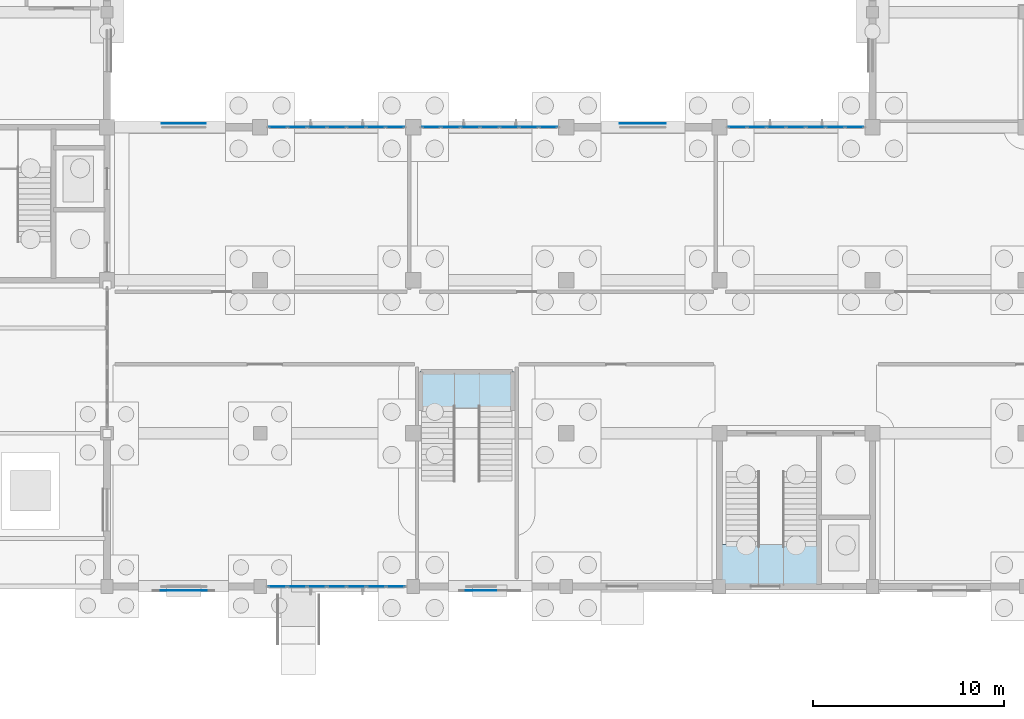
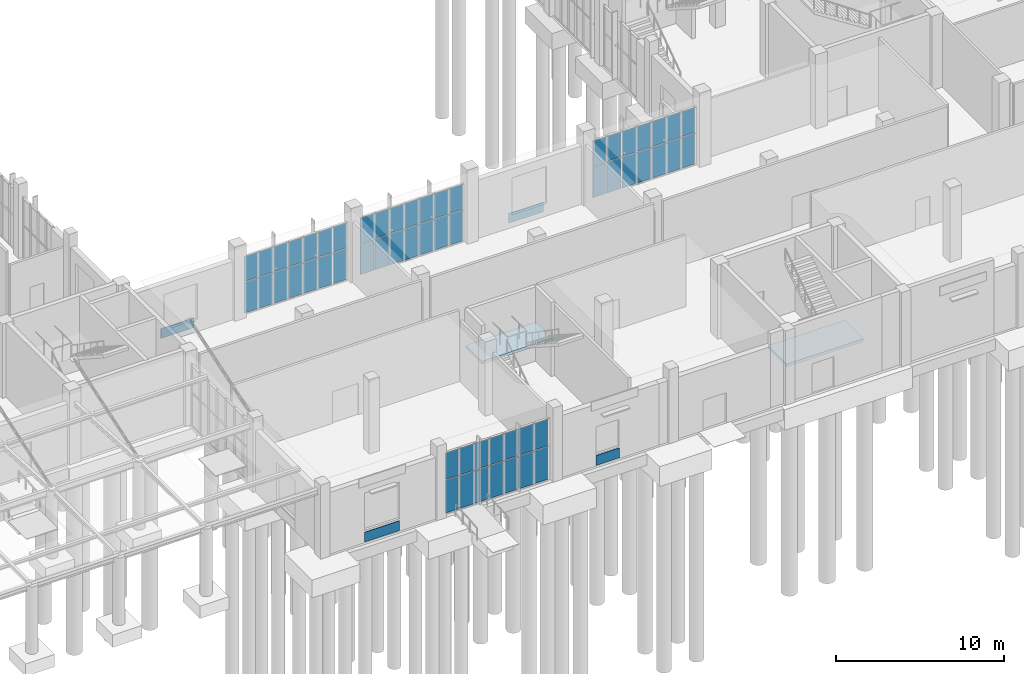
# One storey, part 32 of 69: 60 plates, 2 slabs, 6 elements without a shape of their own.
"""IFC4 building model written with IfcOpenShell, lengths in metres."""

from ifc_helpers import new_model, si_unit, direction, frame, origin, origin_2d, place, context, subcontext, project, spatial, polyline, rectangle, outline, extrude, material, layer, layer_set, type_object, element, aggregate, save


model = new_model("IFC4")

# Units and contexts
model_context = context("Model", 3, precision=1e-05, world=origin(), true_north=direction((0.0, 1.0)))
body_context = subcontext(model_context, "Body", "Model", "MODEL_VIEW")
ifc_project = project(units=[si_unit("LENGTHUNIT", "METRE"), si_unit("AREAUNIT", "SQUARE_METRE"), si_unit("VOLUMEUNIT", "CUBIC_METRE"), si_unit("PLANEANGLEUNIT", "RADIAN"), si_unit("MASSUNIT", "GRAM", prefix="KILO")], contexts=[model_context])

# Site, building, storey
site_placement = place(None, origin())
site = spatial("IfcSite", under=ifc_project, at=site_placement, CompositionType="ELEMENT")
building_placement = place(site_placement, origin())
building = spatial("IfcBuilding", under=site, at=building_placement, Name="Solvane Community Centre", CompositionType="ELEMENT")
storey_placement = place(building_placement, origin())
storey = spatial("IfcBuildingStorey", under=building, at=storey_placement, Name="L00", CompositionType="ELEMENT", Elevation=0.0)

# Plates
ifc_material_1 = material(Name="Anodised bronze aluminium AW-6063 T6", Category="aluminium")
ifc_layer_1 = layer(ifc_material_1, 0.02392578125)
ifc_layer_set_1 = layer_set([ifc_layer_1], Name="Anodised bronze aluminium AW-6063 T6")
plate_type_1 = type_object("IfcPlateType", Name="Bronze Spandrel Cassette 24mm", PredefinedType="SHEET", material=ifc_layer_set_1)
plate_1_placement = place(storey_placement, frame((87.538330078125, 5.798095703125, 0.06005859375), z_axis=(0.0, 0.0, 1.0), x_axis=(-1.0, 0.0, 0.0)))
element("IfcPlate", 1, at=plate_1_placement, inside=storey, type_object=plate_type_1, Name="Art Deco Spandrel SPC-L00-001", PredefinedType="SHEET", context=body_context, shape_type="SweptSolid", body=[
    extrude(rectangle(XDim=1.60009765625, YDim=0.02392578125, at=origin_2d()), origin(), (0.0, 0.0, 1.0), 0.719970703125),
])
plate_2_placement = place(storey_placement, frame((72.0, 5.798095703125, 0.06005859375), z_axis=(0.0, 0.0, 1.0), x_axis=(-1.0, 0.0, 0.0)))
element("IfcPlate", 2, at=plate_2_placement, inside=storey, type_object=plate_type_1, Name="Art Deco Spandrel SPC-L00-002", PredefinedType="SHEET", context=body_context, shape_type="SweptSolid", body=[
    extrude(rectangle(XDim=2.39990234375, YDim=0.02392578125, at=origin_2d()), origin(), (0.0, 0.0, 1.0), 0.719970703125),
])
plate_3_placement = place(storey_placement, frame((72.0, 30.201904296875, 0.06005859375), z_axis=(0.0, 0.0, 1.0), x_axis=(1.0, 0.0, 0.0)))
element("IfcPlate", 3, at=plate_3_placement, inside=storey, type_object=plate_type_1, Name="Art Deco Spandrel SPC-L00-016", PredefinedType="SHEET", context=body_context, shape_type="SweptSolid", body=[
    extrude(rectangle(XDim=2.300048828125, YDim=0.02392578125, at=origin_2d()), origin(), (0.0, 0.0, 1.0), 0.719970703125),
])
plate_4_placement = place(storey_placement, frame((96.0, 30.201904296875, 0.06005859375), z_axis=(0.0, 0.0, 1.0), x_axis=(1.0, 0.0, 0.0)))
element("IfcPlate", 4, at=plate_4_placement, inside=storey, type_object=plate_type_1, Name="Art Deco Spandrel SPC-L00-017", PredefinedType="SHEET", context=body_context, shape_type="SweptSolid", body=[
    extrude(rectangle(XDim=2.39990234375, YDim=0.02392578125, at=origin_2d()), origin(), (0.0, 0.0, 1.0), 0.719970703125),
])

# Curtain wall, plates
ifc_layer_2 = layer(ifc_material_1, 0.18994140625)
ifc_layer_set_2 = layer_set([ifc_layer_2], Name="Anodised bronze aluminium AW-6063 T6")
curtain_wall_type_1 = type_object("IfcCurtainWallType", Name="Boulevard Bronze Vision Curtain Wall [72x42dm]", PredefinedType="NOTDEFINED", material=ifc_layer_set_2)
curtain_wall_1_placement = place(storey_placement, origin())
curtain_wall_1 = element("IfcCurtainWall", 5, at=curtain_wall_1_placement, inside=storey, type_object=curtain_wall_type_1, Name="Curtain Wall CW-L00-764_300-023", PredefinedType="NOTDEFINED")
ifc_material_2 = material(Name="Tempered low-E double glazing", Category="glass")
ifc_layer_3 = layer(ifc_material_2, 0.028076171875)
ifc_layer_set_3 = layer_set([ifc_layer_3], Name="Tempered low-E double glazing")
plate_type_2 = type_object("IfcPlateType", Name="Low-E Vision Glazing Panel 28mm [72x42dm]", PredefinedType="CURTAIN_PANEL", material=ifc_layer_set_3)
plate_5_placement = place(storey_placement, frame((76.942138671875, 30.0, 0.06005859375), z_axis=(0.0, 0.0, 1.0), x_axis=(1.0, 0.0, 0.0)))
plate_5 = element("IfcPlate", 6, at=plate_5_placement, type_object=plate_type_2, Name="CW02-72x42 panel 1.1", PredefinedType="CURTAIN_PANEL", context=body_context, shape_type="SweptSolid", body=[
    extrude(rectangle(XDim=0.934326171875, YDim=0.028076171875, at=origin_2d()), origin(), (0.0, 0.0, 1.0), 2.2451171875),
])
plate_6_placement = place(storey_placement, frame((76.942138671875, 30.0, 2.36474609375), z_axis=(0.0, 0.0, 1.0), x_axis=(1.0, 0.0, 0.0)))
plate_6 = element("IfcPlate", 7, at=plate_6_placement, type_object=plate_type_2, Name="CW02-72x42 panel 1.2", PredefinedType="CURTAIN_PANEL", context=body_context, shape_type="SweptSolid", body=[
    extrude(rectangle(XDim=0.934326171875, YDim=0.028076171875, at=origin_2d()), origin(), (0.0, 0.0, 1.0), 1.820068359375),
])
plate_7_placement = place(storey_placement, frame((77.951416015625, 30.0, 0.06005859375), z_axis=(0.0, 0.0, 1.0), x_axis=(1.0, 0.0, 0.0)))
plate_7 = element("IfcPlate", 8, at=plate_7_placement, type_object=plate_type_2, Name="CW02-72x42 panel 2.1", PredefinedType="CURTAIN_PANEL", context=body_context, shape_type="SweptSolid", body=[
    extrude(rectangle(XDim=0.96435546875, YDim=0.028076171875, at=origin_2d()), origin(), (0.0, 0.0, 1.0), 2.2451171875),
])
plate_8_placement = place(storey_placement, frame((77.951416015625, 30.0, 2.36474609375), z_axis=(0.0, 0.0, 1.0), x_axis=(1.0, 0.0, 0.0)))
plate_8 = element("IfcPlate", 9, at=plate_8_placement, type_object=plate_type_2, Name="CW02-72x42 panel 2.2", PredefinedType="CURTAIN_PANEL", context=body_context, shape_type="SweptSolid", body=[
    extrude(rectangle(XDim=0.96435546875, YDim=0.028076171875, at=origin_2d()), origin(), (0.0, 0.0, 1.0), 1.820068359375),
])
plate_9_placement = place(storey_placement, frame((78.975830078125, 30.0, 0.06005859375), z_axis=(0.0, 0.0, 1.0), x_axis=(1.0, 0.0, 0.0)))
plate_9 = element("IfcPlate", 10, at=plate_9_placement, type_object=plate_type_2, Name="CW02-72x42 panel 3.1", PredefinedType="CURTAIN_PANEL", context=body_context, shape_type="SweptSolid", body=[
    extrude(rectangle(XDim=0.96435546875, YDim=0.028076171875, at=origin_2d()), origin(), (0.0, 0.0, 1.0), 2.2451171875),
])
plate_10_placement = place(storey_placement, frame((78.975830078125, 30.0, 2.36474609375), z_axis=(0.0, 0.0, 1.0), x_axis=(1.0, 0.0, 0.0)))
plate_10 = element("IfcPlate", 11, at=plate_10_placement, type_object=plate_type_2, Name="CW02-72x42 panel 3.2", PredefinedType="CURTAIN_PANEL", context=body_context, shape_type="SweptSolid", body=[
    extrude(rectangle(XDim=0.96435546875, YDim=0.028076171875, at=origin_2d()), origin(), (0.0, 0.0, 1.0), 1.820068359375),
])
plate_11_placement = place(storey_placement, frame((80.0, 30.0, 0.06005859375), z_axis=(0.0, 0.0, 1.0), x_axis=(1.0, 0.0, 0.0)))
plate_11 = element("IfcPlate", 12, at=plate_11_placement, type_object=plate_type_2, Name="CW02-72x42 panel 4.1", PredefinedType="CURTAIN_PANEL", context=body_context, shape_type="SweptSolid", body=[
    extrude(rectangle(XDim=0.96435546875, YDim=0.028076171875, at=origin_2d()), origin(), (0.0, 0.0, 1.0), 2.2451171875),
])
plate_12_placement = place(storey_placement, frame((80.0, 30.0, 2.36474609375), z_axis=(0.0, 0.0, 1.0), x_axis=(1.0, 0.0, 0.0)))
plate_12 = element("IfcPlate", 13, at=plate_12_placement, type_object=plate_type_2, Name="CW02-72x42 panel 4.2", PredefinedType="CURTAIN_PANEL", context=body_context, shape_type="SweptSolid", body=[
    extrude(rectangle(XDim=0.96435546875, YDim=0.028076171875, at=origin_2d()), origin(), (0.0, 0.0, 1.0), 1.820068359375),
])
plate_13_placement = place(storey_placement, frame((81.024169921875, 30.0, 0.06005859375), z_axis=(0.0, 0.0, 1.0), x_axis=(1.0, 0.0, 0.0)))
plate_13 = element("IfcPlate", 14, at=plate_13_placement, type_object=plate_type_2, Name="CW02-72x42 panel 5.1", PredefinedType="CURTAIN_PANEL", context=body_context, shape_type="SweptSolid", body=[
    extrude(rectangle(XDim=0.96435546875, YDim=0.028076171875, at=origin_2d()), origin(), (0.0, 0.0, 1.0), 2.2451171875),
])
plate_14_placement = place(storey_placement, frame((81.024169921875, 30.0, 2.36474609375), z_axis=(0.0, 0.0, 1.0), x_axis=(1.0, 0.0, 0.0)))
plate_14 = element("IfcPlate", 15, at=plate_14_placement, type_object=plate_type_2, Name="CW02-72x42 panel 5.2", PredefinedType="CURTAIN_PANEL", context=body_context, shape_type="SweptSolid", body=[
    extrude(rectangle(XDim=0.96435546875, YDim=0.028076171875, at=origin_2d()), origin(), (0.0, 0.0, 1.0), 1.820068359375),
])
plate_15_placement = place(storey_placement, frame((82.048583984375, 30.0, 0.06005859375), z_axis=(0.0, 0.0, 1.0), x_axis=(1.0, 0.0, 0.0)))
plate_15 = element("IfcPlate", 16, at=plate_15_placement, type_object=plate_type_2, Name="CW02-72x42 panel 6.1", PredefinedType="CURTAIN_PANEL", context=body_context, shape_type="SweptSolid", body=[
    extrude(rectangle(XDim=0.96435546875, YDim=0.028076171875, at=origin_2d()), origin(), (0.0, 0.0, 1.0), 2.2451171875),
])
plate_16_placement = place(storey_placement, frame((82.048583984375, 30.0, 2.36474609375), z_axis=(0.0, 0.0, 1.0), x_axis=(1.0, 0.0, 0.0)))
plate_16 = element("IfcPlate", 17, at=plate_16_placement, type_object=plate_type_2, Name="CW02-72x42 panel 6.2", PredefinedType="CURTAIN_PANEL", context=body_context, shape_type="SweptSolid", body=[
    extrude(rectangle(XDim=0.96435546875, YDim=0.028076171875, at=origin_2d()), origin(), (0.0, 0.0, 1.0), 1.820068359375),
])
plate_17_placement = place(storey_placement, frame((83.057861328125, 30.0, 0.06005859375), z_axis=(0.0, 0.0, 1.0), x_axis=(1.0, 0.0, 0.0)))
plate_17 = element("IfcPlate", 18, at=plate_17_placement, type_object=plate_type_2, Name="CW02-72x42 panel 7.1", PredefinedType="CURTAIN_PANEL", context=body_context, shape_type="SweptSolid", body=[
    extrude(rectangle(XDim=0.934326171875, YDim=0.028076171875, at=origin_2d()), origin(), (0.0, 0.0, 1.0), 2.2451171875),
])
plate_18_placement = place(storey_placement, frame((83.057861328125, 30.0, 2.36474609375), z_axis=(0.0, 0.0, 1.0), x_axis=(1.0, 0.0, 0.0)))
plate_18 = element("IfcPlate", 19, at=plate_18_placement, type_object=plate_type_2, Name="CW02-72x42 panel 7.2", PredefinedType="CURTAIN_PANEL", context=body_context, shape_type="SweptSolid", body=[
    extrude(rectangle(XDim=0.934326171875, YDim=0.028076171875, at=origin_2d()), origin(), (0.0, 0.0, 1.0), 1.820068359375),
])
aggregate(curtain_wall_1, [plate_5, plate_6, plate_7, plate_8, plate_9, plate_10, plate_11, plate_12, plate_13, plate_14, plate_15, plate_16, plate_17, plate_18])

curtain_wall_2_placement = place(storey_placement, origin())
curtain_wall_2 = element("IfcCurtainWall", 20, at=curtain_wall_2_placement, inside=storey, type_object=curtain_wall_type_1, Name="Curtain Wall CW-L00-844_300-024", PredefinedType="NOTDEFINED")
plate_19_placement = place(storey_placement, frame((84.942138671875, 30.0, 0.06005859375), z_axis=(0.0, 0.0, 1.0), x_axis=(1.0, 0.0, 0.0)))
plate_19 = element("IfcPlate", 21, at=plate_19_placement, type_object=plate_type_2, Name="CW02-72x42 panel 1.1", PredefinedType="CURTAIN_PANEL", context=body_context, shape_type="SweptSolid", body=[
    extrude(rectangle(XDim=0.934326171875, YDim=0.028076171875, at=origin_2d()), origin(), (0.0, 0.0, 1.0), 2.2451171875),
])
plate_20_placement = place(storey_placement, frame((84.942138671875, 30.0, 2.36474609375), z_axis=(0.0, 0.0, 1.0), x_axis=(1.0, 0.0, 0.0)))
plate_20 = element("IfcPlate", 22, at=plate_20_placement, type_object=plate_type_2, Name="CW02-72x42 panel 1.2", PredefinedType="CURTAIN_PANEL", context=body_context, shape_type="SweptSolid", body=[
    extrude(rectangle(XDim=0.934326171875, YDim=0.028076171875, at=origin_2d()), origin(), (0.0, 0.0, 1.0), 1.820068359375),
])
plate_21_placement = place(storey_placement, frame((85.951416015625, 30.0, 0.06005859375), z_axis=(0.0, 0.0, 1.0), x_axis=(1.0, 0.0, 0.0)))
plate_21 = element("IfcPlate", 23, at=plate_21_placement, type_object=plate_type_2, Name="CW02-72x42 panel 2.1", PredefinedType="CURTAIN_PANEL", context=body_context, shape_type="SweptSolid", body=[
    extrude(rectangle(XDim=0.96435546875, YDim=0.028076171875, at=origin_2d()), origin(), (0.0, 0.0, 1.0), 2.2451171875),
])
plate_22_placement = place(storey_placement, frame((85.951416015625, 30.0, 2.36474609375), z_axis=(0.0, 0.0, 1.0), x_axis=(1.0, 0.0, 0.0)))
plate_22 = element("IfcPlate", 24, at=plate_22_placement, type_object=plate_type_2, Name="CW02-72x42 panel 2.2", PredefinedType="CURTAIN_PANEL", context=body_context, shape_type="SweptSolid", body=[
    extrude(rectangle(XDim=0.96435546875, YDim=0.028076171875, at=origin_2d()), origin(), (0.0, 0.0, 1.0), 1.820068359375),
])
plate_23_placement = place(storey_placement, frame((86.975830078125, 30.0, 0.06005859375), z_axis=(0.0, 0.0, 1.0), x_axis=(1.0, 0.0, 0.0)))
plate_23 = element("IfcPlate", 25, at=plate_23_placement, type_object=plate_type_2, Name="CW02-72x42 panel 3.1", PredefinedType="CURTAIN_PANEL", context=body_context, shape_type="SweptSolid", body=[
    extrude(rectangle(XDim=0.96435546875, YDim=0.028076171875, at=origin_2d()), origin(), (0.0, 0.0, 1.0), 2.2451171875),
])
plate_24_placement = place(storey_placement, frame((86.975830078125, 30.0, 2.36474609375), z_axis=(0.0, 0.0, 1.0), x_axis=(1.0, 0.0, 0.0)))
plate_24 = element("IfcPlate", 26, at=plate_24_placement, type_object=plate_type_2, Name="CW02-72x42 panel 3.2", PredefinedType="CURTAIN_PANEL", context=body_context, shape_type="SweptSolid", body=[
    extrude(rectangle(XDim=0.96435546875, YDim=0.028076171875, at=origin_2d()), origin(), (0.0, 0.0, 1.0), 1.820068359375),
])
plate_25_placement = place(storey_placement, frame((88.0, 30.0, 0.06005859375), z_axis=(0.0, 0.0, 1.0), x_axis=(1.0, 0.0, 0.0)))
plate_25 = element("IfcPlate", 27, at=plate_25_placement, type_object=plate_type_2, Name="CW02-72x42 panel 4.1", PredefinedType="CURTAIN_PANEL", context=body_context, shape_type="SweptSolid", body=[
    extrude(rectangle(XDim=0.96435546875, YDim=0.028076171875, at=origin_2d()), origin(), (0.0, 0.0, 1.0), 2.2451171875),
])
plate_26_placement = place(storey_placement, frame((88.0, 30.0, 2.36474609375), z_axis=(0.0, 0.0, 1.0), x_axis=(1.0, 0.0, 0.0)))
plate_26 = element("IfcPlate", 28, at=plate_26_placement, type_object=plate_type_2, Name="CW02-72x42 panel 4.2", PredefinedType="CURTAIN_PANEL", context=body_context, shape_type="SweptSolid", body=[
    extrude(rectangle(XDim=0.96435546875, YDim=0.028076171875, at=origin_2d()), origin(), (0.0, 0.0, 1.0), 1.820068359375),
])
plate_27_placement = place(storey_placement, frame((89.024169921875, 30.0, 0.06005859375), z_axis=(0.0, 0.0, 1.0), x_axis=(1.0, 0.0, 0.0)))
plate_27 = element("IfcPlate", 29, at=plate_27_placement, type_object=plate_type_2, Name="CW02-72x42 panel 5.1", PredefinedType="CURTAIN_PANEL", context=body_context, shape_type="SweptSolid", body=[
    extrude(rectangle(XDim=0.96435546875, YDim=0.028076171875, at=origin_2d()), origin(), (0.0, 0.0, 1.0), 2.2451171875),
])
plate_28_placement = place(storey_placement, frame((89.024169921875, 30.0, 2.36474609375), z_axis=(0.0, 0.0, 1.0), x_axis=(1.0, 0.0, 0.0)))
plate_28 = element("IfcPlate", 30, at=plate_28_placement, type_object=plate_type_2, Name="CW02-72x42 panel 5.2", PredefinedType="CURTAIN_PANEL", context=body_context, shape_type="SweptSolid", body=[
    extrude(rectangle(XDim=0.96435546875, YDim=0.028076171875, at=origin_2d()), origin(), (0.0, 0.0, 1.0), 1.820068359375),
])
plate_29_placement = place(storey_placement, frame((90.048583984375, 30.0, 0.06005859375), z_axis=(0.0, 0.0, 1.0), x_axis=(1.0, 0.0, 0.0)))
plate_29 = element("IfcPlate", 31, at=plate_29_placement, type_object=plate_type_2, Name="CW02-72x42 panel 6.1", PredefinedType="CURTAIN_PANEL", context=body_context, shape_type="SweptSolid", body=[
    extrude(rectangle(XDim=0.96435546875, YDim=0.028076171875, at=origin_2d()), origin(), (0.0, 0.0, 1.0), 2.2451171875),
])
plate_30_placement = place(storey_placement, frame((90.048583984375, 30.0, 2.36474609375), z_axis=(0.0, 0.0, 1.0), x_axis=(1.0, 0.0, 0.0)))
plate_30 = element("IfcPlate", 32, at=plate_30_placement, type_object=plate_type_2, Name="CW02-72x42 panel 6.2", PredefinedType="CURTAIN_PANEL", context=body_context, shape_type="SweptSolid", body=[
    extrude(rectangle(XDim=0.96435546875, YDim=0.028076171875, at=origin_2d()), origin(), (0.0, 0.0, 1.0), 1.820068359375),
])
plate_31_placement = place(storey_placement, frame((91.057861328125, 30.0, 0.06005859375), z_axis=(0.0, 0.0, 1.0), x_axis=(1.0, 0.0, 0.0)))
plate_31 = element("IfcPlate", 33, at=plate_31_placement, type_object=plate_type_2, Name="CW02-72x42 panel 7.1", PredefinedType="CURTAIN_PANEL", context=body_context, shape_type="SweptSolid", body=[
    extrude(rectangle(XDim=0.934326171875, YDim=0.028076171875, at=origin_2d()), origin(), (0.0, 0.0, 1.0), 2.2451171875),
])
plate_32_placement = place(storey_placement, frame((91.057861328125, 30.0, 2.36474609375), z_axis=(0.0, 0.0, 1.0), x_axis=(1.0, 0.0, 0.0)))
plate_32 = element("IfcPlate", 34, at=plate_32_placement, type_object=plate_type_2, Name="CW02-72x42 panel 7.2", PredefinedType="CURTAIN_PANEL", context=body_context, shape_type="SweptSolid", body=[
    extrude(rectangle(XDim=0.934326171875, YDim=0.028076171875, at=origin_2d()), origin(), (0.0, 0.0, 1.0), 1.820068359375),
])
aggregate(curtain_wall_2, [plate_19, plate_20, plate_21, plate_22, plate_23, plate_24, plate_25, plate_26, plate_27, plate_28, plate_29, plate_30, plate_31, plate_32])

curtain_wall_3_placement = place(storey_placement, origin())
curtain_wall_3 = element("IfcCurtainWall", 35, at=curtain_wall_3_placement, inside=storey, type_object=curtain_wall_type_1, Name="Curtain Wall CW-L00-1004_300-025", PredefinedType="NOTDEFINED")
plate_33_placement = place(storey_placement, frame((100.942138671875, 30.0, 0.06005859375), z_axis=(0.0, 0.0, 1.0), x_axis=(1.0, 0.0, 0.0)))
plate_33 = element("IfcPlate", 36, at=plate_33_placement, type_object=plate_type_2, Name="CW02-72x42 panel 1.1", PredefinedType="CURTAIN_PANEL", context=body_context, shape_type="SweptSolid", body=[
    extrude(rectangle(XDim=0.934326171875, YDim=0.028076171875, at=origin_2d()), origin(), (0.0, 0.0, 1.0), 2.2451171875),
])
plate_34_placement = place(storey_placement, frame((100.942138671875, 30.0, 2.36474609375), z_axis=(0.0, 0.0, 1.0), x_axis=(1.0, 0.0, 0.0)))
plate_34 = element("IfcPlate", 37, at=plate_34_placement, type_object=plate_type_2, Name="CW02-72x42 panel 1.2", PredefinedType="CURTAIN_PANEL", context=body_context, shape_type="SweptSolid", body=[
    extrude(rectangle(XDim=0.934326171875, YDim=0.028076171875, at=origin_2d()), origin(), (0.0, 0.0, 1.0), 1.820068359375),
])
plate_35_placement = place(storey_placement, frame((101.951416015625, 30.0, 0.06005859375), z_axis=(0.0, 0.0, 1.0), x_axis=(1.0, 0.0, 0.0)))
plate_35 = element("IfcPlate", 38, at=plate_35_placement, type_object=plate_type_2, Name="CW02-72x42 panel 2.1", PredefinedType="CURTAIN_PANEL", context=body_context, shape_type="SweptSolid", body=[
    extrude(rectangle(XDim=0.96435546875, YDim=0.028076171875, at=origin_2d()), origin(), (0.0, 0.0, 1.0), 2.2451171875),
])
plate_36_placement = place(storey_placement, frame((101.951416015625, 30.0, 2.36474609375), z_axis=(0.0, 0.0, 1.0), x_axis=(1.0, 0.0, 0.0)))
plate_36 = element("IfcPlate", 39, at=plate_36_placement, type_object=plate_type_2, Name="CW02-72x42 panel 2.2", PredefinedType="CURTAIN_PANEL", context=body_context, shape_type="SweptSolid", body=[
    extrude(rectangle(XDim=0.96435546875, YDim=0.028076171875, at=origin_2d()), origin(), (0.0, 0.0, 1.0), 1.820068359375),
])
plate_37_placement = place(storey_placement, frame((102.975830078125, 30.0, 0.06005859375), z_axis=(0.0, 0.0, 1.0), x_axis=(1.0, 0.0, 0.0)))
plate_37 = element("IfcPlate", 40, at=plate_37_placement, type_object=plate_type_2, Name="CW02-72x42 panel 3.1", PredefinedType="CURTAIN_PANEL", context=body_context, shape_type="SweptSolid", body=[
    extrude(rectangle(XDim=0.96435546875, YDim=0.028076171875, at=origin_2d()), origin(), (0.0, 0.0, 1.0), 2.2451171875),
])
plate_38_placement = place(storey_placement, frame((102.975830078125, 30.0, 2.36474609375), z_axis=(0.0, 0.0, 1.0), x_axis=(1.0, 0.0, 0.0)))
plate_38 = element("IfcPlate", 41, at=plate_38_placement, type_object=plate_type_2, Name="CW02-72x42 panel 3.2", PredefinedType="CURTAIN_PANEL", context=body_context, shape_type="SweptSolid", body=[
    extrude(rectangle(XDim=0.96435546875, YDim=0.028076171875, at=origin_2d()), origin(), (0.0, 0.0, 1.0), 1.820068359375),
])
plate_39_placement = place(storey_placement, frame((104.0, 30.0, 0.06005859375), z_axis=(0.0, 0.0, 1.0), x_axis=(1.0, 0.0, 0.0)))
plate_39 = element("IfcPlate", 42, at=plate_39_placement, type_object=plate_type_2, Name="CW02-72x42 panel 4.1", PredefinedType="CURTAIN_PANEL", context=body_context, shape_type="SweptSolid", body=[
    extrude(rectangle(XDim=0.96435546875, YDim=0.028076171875, at=origin_2d()), origin(), (0.0, 0.0, 1.0), 2.2451171875),
])
plate_40_placement = place(storey_placement, frame((104.0, 30.0, 2.36474609375), z_axis=(0.0, 0.0, 1.0), x_axis=(1.0, 0.0, 0.0)))
plate_40 = element("IfcPlate", 43, at=plate_40_placement, type_object=plate_type_2, Name="CW02-72x42 panel 4.2", PredefinedType="CURTAIN_PANEL", context=body_context, shape_type="SweptSolid", body=[
    extrude(rectangle(XDim=0.96435546875, YDim=0.028076171875, at=origin_2d()), origin(), (0.0, 0.0, 1.0), 1.820068359375),
])
plate_41_placement = place(storey_placement, frame((105.024169921875, 30.0, 0.06005859375), z_axis=(0.0, 0.0, 1.0), x_axis=(1.0, 0.0, 0.0)))
plate_41 = element("IfcPlate", 44, at=plate_41_placement, type_object=plate_type_2, Name="CW02-72x42 panel 5.1", PredefinedType="CURTAIN_PANEL", context=body_context, shape_type="SweptSolid", body=[
    extrude(rectangle(XDim=0.96435546875, YDim=0.028076171875, at=origin_2d()), origin(), (0.0, 0.0, 1.0), 2.2451171875),
])
plate_42_placement = place(storey_placement, frame((105.024169921875, 30.0, 2.36474609375), z_axis=(0.0, 0.0, 1.0), x_axis=(1.0, 0.0, 0.0)))
plate_42 = element("IfcPlate", 45, at=plate_42_placement, type_object=plate_type_2, Name="CW02-72x42 panel 5.2", PredefinedType="CURTAIN_PANEL", context=body_context, shape_type="SweptSolid", body=[
    extrude(rectangle(XDim=0.96435546875, YDim=0.028076171875, at=origin_2d()), origin(), (0.0, 0.0, 1.0), 1.820068359375),
])
plate_43_placement = place(storey_placement, frame((106.048583984375, 30.0, 0.06005859375), z_axis=(0.0, 0.0, 1.0), x_axis=(1.0, 0.0, 0.0)))
plate_43 = element("IfcPlate", 46, at=plate_43_placement, type_object=plate_type_2, Name="CW02-72x42 panel 6.1", PredefinedType="CURTAIN_PANEL", context=body_context, shape_type="SweptSolid", body=[
    extrude(rectangle(XDim=0.96435546875, YDim=0.028076171875, at=origin_2d()), origin(), (0.0, 0.0, 1.0), 2.2451171875),
])
plate_44_placement = place(storey_placement, frame((106.048583984375, 30.0, 2.36474609375), z_axis=(0.0, 0.0, 1.0), x_axis=(1.0, 0.0, 0.0)))
plate_44 = element("IfcPlate", 47, at=plate_44_placement, type_object=plate_type_2, Name="CW02-72x42 panel 6.2", PredefinedType="CURTAIN_PANEL", context=body_context, shape_type="SweptSolid", body=[
    extrude(rectangle(XDim=0.96435546875, YDim=0.028076171875, at=origin_2d()), origin(), (0.0, 0.0, 1.0), 1.820068359375),
])
plate_45_placement = place(storey_placement, frame((107.057861328125, 30.0, 0.06005859375), z_axis=(0.0, 0.0, 1.0), x_axis=(1.0, 0.0, 0.0)))
plate_45 = element("IfcPlate", 48, at=plate_45_placement, type_object=plate_type_2, Name="CW02-72x42 panel 7.1", PredefinedType="CURTAIN_PANEL", context=body_context, shape_type="SweptSolid", body=[
    extrude(rectangle(XDim=0.934326171875, YDim=0.028076171875, at=origin_2d()), origin(), (0.0, 0.0, 1.0), 2.2451171875),
])
plate_46_placement = place(storey_placement, frame((107.057861328125, 30.0, 2.36474609375), z_axis=(0.0, 0.0, 1.0), x_axis=(1.0, 0.0, 0.0)))
plate_46 = element("IfcPlate", 49, at=plate_46_placement, type_object=plate_type_2, Name="CW02-72x42 panel 7.2", PredefinedType="CURTAIN_PANEL", context=body_context, shape_type="SweptSolid", body=[
    extrude(rectangle(XDim=0.934326171875, YDim=0.028076171875, at=origin_2d()), origin(), (0.0, 0.0, 1.0), 1.820068359375),
])
aggregate(curtain_wall_3, [plate_33, plate_34, plate_35, plate_36, plate_37, plate_38, plate_39, plate_40, plate_41, plate_42, plate_43, plate_44, plate_45, plate_46])

ifc_layer_4 = layer(ifc_material_1, 0.18994140625)
ifc_layer_set_4 = layer_set([ifc_layer_4], Name="Anodised bronze aluminium AW-6063 T6")
curtain_wall_type_2 = type_object("IfcCurtainWallType", Name="Boulevard Bronze Vision Curtain Wall [72x45dm]", PredefinedType="NOTDEFINED", material=ifc_layer_set_4)
curtain_wall_4_placement = place(storey_placement, origin())
curtain_wall_4 = element("IfcCurtainWall", 50, at=curtain_wall_4_placement, inside=storey, type_object=curtain_wall_type_2, Name="Curtain Wall CW-L00-836_60-001", PredefinedType="NOTDEFINED")
ifc_layer_5 = layer(ifc_material_2, 0.028076171875)
ifc_layer_set_5 = layer_set([ifc_layer_5], Name="Tempered low-E double glazing")
plate_type_3 = type_object("IfcPlateType", Name="Low-E Vision Glazing Panel 28mm [72x45dm]", PredefinedType="CURTAIN_PANEL", material=ifc_layer_set_5)
plate_47_placement = place(storey_placement, frame((83.079345703125, 6.0, 0.06005859375), z_axis=(0.0, 0.0, 1.0), x_axis=(-1.0, 0.0, 0.0)))
plate_47 = element("IfcPlate", 51, at=plate_47_placement, type_object=plate_type_3, Name="CW02-72x45 panel 1.1", PredefinedType="CURTAIN_PANEL", context=body_context, shape_type="SweptSolid", body=[
    extrude(rectangle(XDim=0.94140625, YDim=0.028076171875, at=origin_2d()), origin(), (0.0, 0.0, 1.0), 2.382080078125),
])
plate_48_placement = place(storey_placement, frame((83.079345703125, 6.0, 2.501953125), z_axis=(0.0, 0.0, 1.0), x_axis=(-1.0, 0.0, 0.0)))
plate_48 = element("IfcPlate", 52, at=plate_48_placement, type_object=plate_type_3, Name="CW02-72x45 panel 1.2", PredefinedType="CURTAIN_PANEL", context=body_context, shape_type="SweptSolid", body=[
    extrude(rectangle(XDim=0.94140625, YDim=0.028076171875, at=origin_2d()), origin(), (0.0, 0.0, 1.0), 1.93310546875),
])
plate_49_placement = place(storey_placement, frame((82.062744140625, 6.0, 0.06005859375), z_axis=(0.0, 0.0, 1.0), x_axis=(-1.0, 0.0, 0.0)))
plate_49 = element("IfcPlate", 53, at=plate_49_placement, type_object=plate_type_3, Name="CW02-72x45 panel 2.1", PredefinedType="CURTAIN_PANEL", context=body_context, shape_type="SweptSolid", body=[
    extrude(rectangle(XDim=0.971435546875, YDim=0.028076171875, at=origin_2d()), origin(), (0.0, 0.0, 1.0), 2.382080078125),
])
plate_50_placement = place(storey_placement, frame((82.062744140625, 6.0, 2.501953125), z_axis=(0.0, 0.0, 1.0), x_axis=(-1.0, 0.0, 0.0)))
plate_50 = element("IfcPlate", 54, at=plate_50_placement, type_object=plate_type_3, Name="CW02-72x45 panel 2.2", PredefinedType="CURTAIN_PANEL", context=body_context, shape_type="SweptSolid", body=[
    extrude(rectangle(XDim=0.971435546875, YDim=0.028076171875, at=origin_2d()), origin(), (0.0, 0.0, 1.0), 1.93310546875),
])
plate_51_placement = place(storey_placement, frame((81.031494140625, 6.0, 0.06005859375), z_axis=(0.0, 0.0, 1.0), x_axis=(-1.0, 0.0, 0.0)))
plate_51 = element("IfcPlate", 55, at=plate_51_placement, type_object=plate_type_3, Name="CW02-72x45 panel 3.1", PredefinedType="CURTAIN_PANEL", context=body_context, shape_type="SweptSolid", body=[
    extrude(rectangle(XDim=0.971435546875, YDim=0.028076171875, at=origin_2d()), origin(), (0.0, 0.0, 1.0), 2.382080078125),
])
plate_52_placement = place(storey_placement, frame((81.031494140625, 6.0, 2.501953125), z_axis=(0.0, 0.0, 1.0), x_axis=(-1.0, 0.0, 0.0)))
plate_52 = element("IfcPlate", 56, at=plate_52_placement, type_object=plate_type_3, Name="CW02-72x45 panel 3.2", PredefinedType="CURTAIN_PANEL", context=body_context, shape_type="SweptSolid", body=[
    extrude(rectangle(XDim=0.971435546875, YDim=0.028076171875, at=origin_2d()), origin(), (0.0, 0.0, 1.0), 1.93310546875),
])
plate_53_placement = place(storey_placement, frame((80.0, 6.0, 0.06005859375), z_axis=(0.0, 0.0, 1.0), x_axis=(-1.0, 0.0, 0.0)))
plate_53 = element("IfcPlate", 57, at=plate_53_placement, type_object=plate_type_3, Name="CW02-72x45 panel 4.1", PredefinedType="CURTAIN_PANEL", context=body_context, shape_type="SweptSolid", body=[
    extrude(rectangle(XDim=0.971435546875, YDim=0.028076171875, at=origin_2d()), origin(), (0.0, 0.0, 1.0), 2.382080078125),
])
plate_54_placement = place(storey_placement, frame((80.0, 6.0, 2.501953125), z_axis=(0.0, 0.0, 1.0), x_axis=(-1.0, 0.0, 0.0)))
plate_54 = element("IfcPlate", 58, at=plate_54_placement, type_object=plate_type_3, Name="CW02-72x45 panel 4.2", PredefinedType="CURTAIN_PANEL", context=body_context, shape_type="SweptSolid", body=[
    extrude(rectangle(XDim=0.971435546875, YDim=0.028076171875, at=origin_2d()), origin(), (0.0, 0.0, 1.0), 1.93310546875),
])
plate_55_placement = place(storey_placement, frame((78.968505859375, 6.0, 0.06005859375), z_axis=(0.0, 0.0, 1.0), x_axis=(-1.0, 0.0, 0.0)))
plate_55 = element("IfcPlate", 59, at=plate_55_placement, type_object=plate_type_3, Name="CW02-72x45 panel 5.1", PredefinedType="CURTAIN_PANEL", context=body_context, shape_type="SweptSolid", body=[
    extrude(rectangle(XDim=0.971435546875, YDim=0.028076171875, at=origin_2d()), origin(), (0.0, 0.0, 1.0), 2.382080078125),
])
plate_56_placement = place(storey_placement, frame((78.968505859375, 6.0, 2.501953125), z_axis=(0.0, 0.0, 1.0), x_axis=(-1.0, 0.0, 0.0)))
plate_56 = element("IfcPlate", 60, at=plate_56_placement, type_object=plate_type_3, Name="CW02-72x45 panel 5.2", PredefinedType="CURTAIN_PANEL", context=body_context, shape_type="SweptSolid", body=[
    extrude(rectangle(XDim=0.971435546875, YDim=0.028076171875, at=origin_2d()), origin(), (0.0, 0.0, 1.0), 1.93310546875),
])
plate_57_placement = place(storey_placement, frame((77.937255859375, 6.0, 0.06005859375), z_axis=(0.0, 0.0, 1.0), x_axis=(-1.0, 0.0, 0.0)))
plate_57 = element("IfcPlate", 61, at=plate_57_placement, type_object=plate_type_3, Name="CW02-72x45 panel 6.1", PredefinedType="CURTAIN_PANEL", context=body_context, shape_type="SweptSolid", body=[
    extrude(rectangle(XDim=0.971435546875, YDim=0.028076171875, at=origin_2d()), origin(), (0.0, 0.0, 1.0), 2.382080078125),
])
plate_58_placement = place(storey_placement, frame((77.937255859375, 6.0, 2.501953125), z_axis=(0.0, 0.0, 1.0), x_axis=(-1.0, 0.0, 0.0)))
plate_58 = element("IfcPlate", 62, at=plate_58_placement, type_object=plate_type_3, Name="CW02-72x45 panel 6.2", PredefinedType="CURTAIN_PANEL", context=body_context, shape_type="SweptSolid", body=[
    extrude(rectangle(XDim=0.971435546875, YDim=0.028076171875, at=origin_2d()), origin(), (0.0, 0.0, 1.0), 1.93310546875),
])
plate_59_placement = place(storey_placement, frame((76.920654296875, 6.0, 0.06005859375), z_axis=(0.0, 0.0, 1.0), x_axis=(-1.0, 0.0, 0.0)))
plate_59 = element("IfcPlate", 63, at=plate_59_placement, type_object=plate_type_3, Name="CW02-72x45 panel 7.1", PredefinedType="CURTAIN_PANEL", context=body_context, shape_type="SweptSolid", body=[
    extrude(rectangle(XDim=0.94140625, YDim=0.028076171875, at=origin_2d()), origin(), (0.0, 0.0, 1.0), 2.382080078125),
])
plate_60_placement = place(storey_placement, frame((76.920654296875, 6.0, 2.501953125), z_axis=(0.0, 0.0, 1.0), x_axis=(-1.0, 0.0, 0.0)))
plate_60 = element("IfcPlate", 64, at=plate_60_placement, type_object=plate_type_3, Name="CW02-72x45 panel 7.2", PredefinedType="CURTAIN_PANEL", context=body_context, shape_type="SweptSolid", body=[
    extrude(rectangle(XDim=0.94140625, YDim=0.028076171875, at=origin_2d()), origin(), (0.0, 0.0, 1.0), 1.93310546875),
])
aggregate(curtain_wall_4, [plate_47, plate_48, plate_49, plate_50, plate_51, plate_52, plate_53, plate_54, plate_55, plate_56, plate_57, plate_58, plate_59, plate_60])

# Stair, slab
ifc_material_3 = material(Name="Concrete C35/45", Category="concrete")
stair_type = type_object("IfcStairType", Name="RC Two-Flight Escape Stair 1720mm", PredefinedType="TWO_STRAIGHT_RUN_STAIR", material=ifc_material_3)
stair_1_placement = place(storey_placement, origin())
stair_1 = element("IfcStair", 65, at=stair_1_placement, inside=storey, type_object=stair_type, Name="Stair STR-C2-L00", PredefinedType="TWO_STRAIGHT_RUN_STAIR")
ifc_layer_6 = layer(ifc_material_3, 0.199951171875)
ifc_layer_set_6 = layer_set([ifc_layer_6], Name="Concrete C35/45")
slab_type = type_object("IfcSlabType", Name="RC Stair Half-Landing Slab 200mm", PredefinedType="LANDING", material=ifc_layer_set_6)
slab_1_placement = place(storey_placement, frame((0.0, 0.0, 2.5)))
slab_1 = element("IfcSlab", 66, at=slab_1_placement, type_object=slab_type, Name="ST-02 landing 1", PredefinedType="LANDING", context=body_context, shape_type="SweptSolid", body=[
    extrude(outline(polyline([(99.9599609375, 5.9599609375), (105.239990234375, 5.9599609375), (105.239990234375, 8.199951171875), (99.9599609375, 8.199951171875), (99.9599609375, 5.9599609375)])), origin(), (0.0, 0.0, 1.0), 0.199951171875),
])
aggregate(stair_1, [slab_1])

stair_2_placement = place(storey_placement, origin())
stair_2 = element("IfcStair", 67, at=stair_2_placement, inside=storey, type_object=stair_type, Name="Stair STR-LIB-L00", PredefinedType="TWO_STRAIGHT_RUN_STAIR")
slab_2_placement = place(storey_placement, frame((0.0, 0.0, 2.5)))
slab_2 = element("IfcSlab", 68, at=slab_2_placement, type_object=slab_type, Name="ST-09 landing 1", PredefinedType="LANDING", context=body_context, shape_type="SweptSolid", body=[
    extrude(outline(polyline([(84.360107421875, 15.300048828125), (89.239990234375, 15.300048828125), (89.239990234375, 17.239990234375), (84.360107421875, 17.239990234375), (84.360107421875, 15.300048828125)])), origin(), (0.0, 0.0, 1.0), 0.199951171875),
])
aggregate(stair_2, [slab_2])

save(model, "model.ifc")
